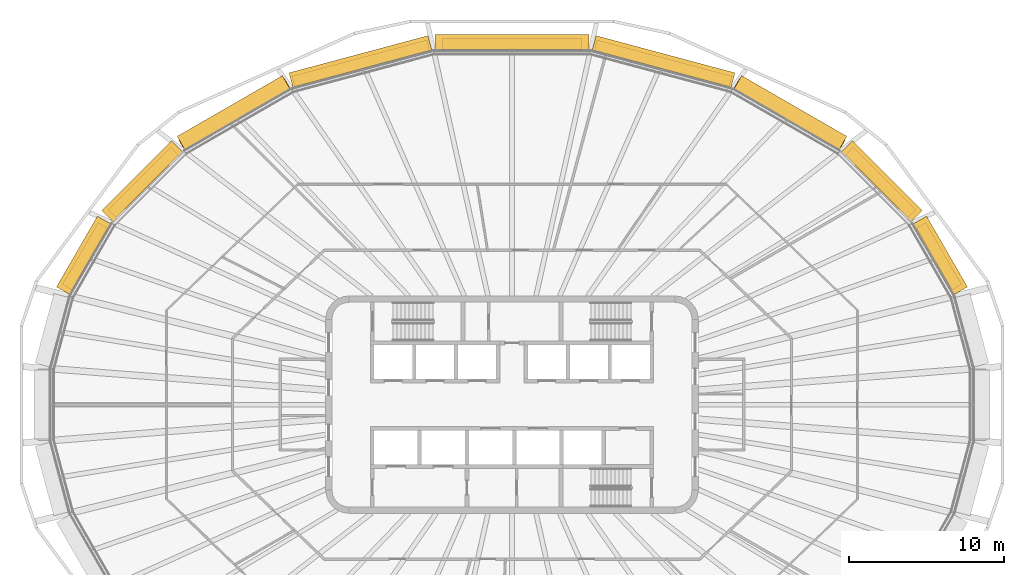
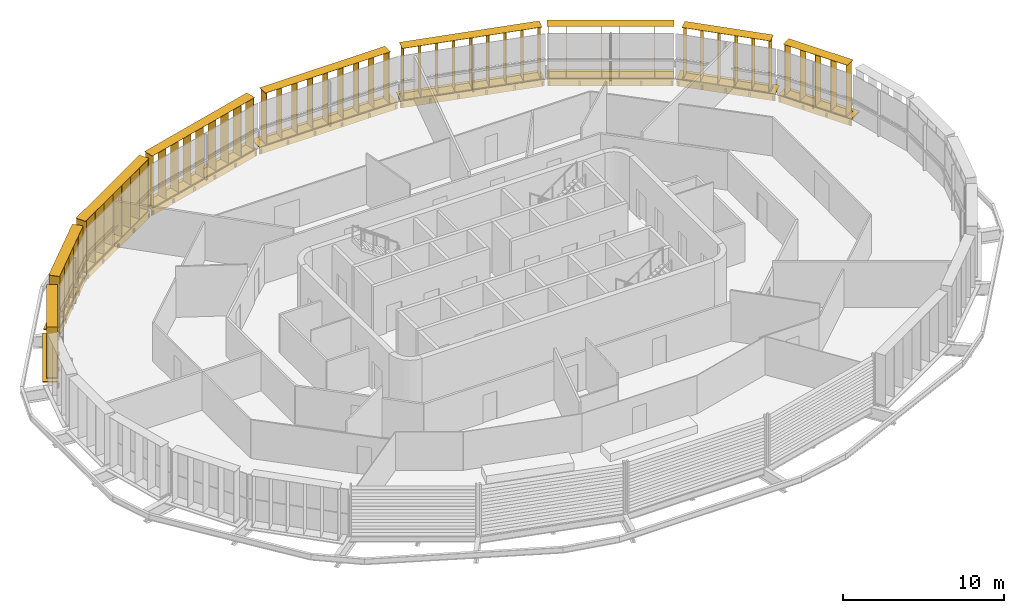
# One storey, part 20 of 20: 18 shading devices.
"""IFC4 building model written with IfcOpenShell, lengths in metres."""

from ifc_helpers import new_model, si_unit, direction, frame, origin, origin_2d, place, context, subcontext, project, spatial, rectangle, extrude, material, type_object, element, save


model = new_model("IFC4")

# Units and contexts
model_context = context("Model", 3, precision=1e-05, world=origin(), true_north=direction((0.0, 1.0)))
body_context = subcontext(model_context, "Body", "Model", "MODEL_VIEW")
ifc_project = project(units=[si_unit("LENGTHUNIT", "METRE"), si_unit("AREAUNIT", "SQUARE_METRE"), si_unit("VOLUMEUNIT", "CUBIC_METRE"), si_unit("PLANEANGLEUNIT", "RADIAN"), si_unit("MASSUNIT", "GRAM", prefix="KILO")], contexts=[model_context])

# Site, building, storey
site_placement = place(None, origin())
site = spatial("IfcSite", under=ifc_project, at=site_placement, CompositionType="ELEMENT")
building_placement = place(site_placement, origin())
building = spatial("IfcBuilding", under=site, at=building_placement, Name="Sahrelin Media Tower", CompositionType="ELEMENT")
storey_placement = place(building_placement, frame((0.0, 0.0, 271.0)))
storey = spatial("IfcBuildingStorey", under=building, at=storey_placement, Name="L59", CompositionType="ELEMENT", Elevation=271.0)

# Shading devices
ifc_material = material(Name="Champagne anodised aluminium 6063-T6", Category="aluminium")
shading_device_type_1 = type_object("IfcShadingDeviceType", Name="Fin cassette", PredefinedType="USERDEFINED", material=ifc_material)
placement_1 = place(storey_placement, frame((27.140869140625, 9.355224609375, 0.0), z_axis=(0.0, 0.0, 1.0), x_axis=(0.500011000363, -0.866019052629, 0.0)))
element("IfcShadingDevice", 1, at=placement_1, inside=storey, type_object=shading_device_type_1, Name="L59:FIN:L59-02", ObjectType="FIN", PredefinedType="USERDEFINED", context=body_context, shape_type="SweptSolid", body=[
    extrude(rectangle(XDim=4.60009765625, YDim=0.699951171875, at=origin_2d()), frame((0.0, 0.419921875, 0.0)), (0.0, 0.0, 1.0), 0.02001953125),
    extrude(rectangle(XDim=4.60009765625, YDim=0.699951171875, at=origin_2d()), frame((0.0, 0.419921875, 3.89990234375)), (0.0, 0.0, 1.0), 0.02001953125),
    extrude(rectangle(XDim=0.02001953125, YDim=0.699951171875, at=origin_2d()), frame((-2.199951171875, 0.419921875, 0.010009765625), z_axis=(0.0, 0.0, 1.0), x_axis=(1.0, 0.0, 0.0)), (0.0, 0.0, 1.0), 3.89990234375),
    extrude(rectangle(XDim=0.02001953125, YDim=0.699951171875, at=origin_2d()), frame((-1.10009765625, 0.419921875, 0.010009765625), z_axis=(0.0, 0.0, 1.0), x_axis=(1.0, 0.0, 0.0)), (0.0, 0.0, 1.0), 3.89990234375),
    extrude(rectangle(XDim=0.02001953125, YDim=0.699951171875, at=origin_2d()), frame((0.0, 0.419921875, 0.010009765625), z_axis=(0.0, 0.0, 1.0), x_axis=(1.0, 0.0, 0.0)), (0.0, 0.0, 1.0), 3.89990234375),
    extrude(rectangle(XDim=0.02001953125, YDim=0.699951171875, at=origin_2d()), frame((1.10009765625, 0.419921875, 0.010009765625), z_axis=(0.0, 0.0, 1.0), x_axis=(1.0, 0.0, 0.0)), (0.0, 0.0, 1.0), 3.89990234375),
    extrude(rectangle(XDim=0.02001953125, YDim=0.699951171875, at=origin_2d()), frame((2.199951171875, 0.419921875, 0.010009765625), z_axis=(0.0, 0.0, 1.0), x_axis=(1.0, 0.0, 0.0)), (0.0, 0.0, 1.0), 3.89990234375),
])
placement_2 = place(storey_placement, frame((23.461181640625, 14.0341796875, 0.0), z_axis=(0.0, 0.0, 1.0), x_axis=(0.707106781187, -0.707106781187, 0.0)))
element("IfcShadingDevice", 2, at=placement_2, inside=storey, type_object=shading_device_type_1, Name="L59:FIN:L59-03", ObjectType="FIN", PredefinedType="USERDEFINED", context=body_context, shape_type="SweptSolid", body=[
    extrude(rectangle(XDim=5.699951171875, YDim=0.699951171875, at=origin_2d()), frame((0.0, 0.419921875, 0.0)), (0.0, 0.0, 1.0), 0.02001953125),
    extrude(rectangle(XDim=5.699951171875, YDim=0.699951171875, at=origin_2d()), frame((0.0, 0.419921875, 3.89990234375)), (0.0, 0.0, 1.0), 0.02001953125),
    extrude(rectangle(XDim=0.02001953125, YDim=0.699951171875, at=origin_2d()), frame((-2.75, 0.419921875, 0.010009765625), z_axis=(0.0, 0.0, 1.0), x_axis=(1.0, 0.0, 0.0)), (0.0, 0.0, 1.0), 3.89990234375),
    extrude(rectangle(XDim=0.02001953125, YDim=0.699951171875, at=origin_2d()), frame((-1.64990234375, 0.419921875, 0.010009765625), z_axis=(0.0, 0.0, 1.0), x_axis=(1.0, 0.0, 0.0)), (0.0, 0.0, 1.0), 3.89990234375),
    extrude(rectangle(XDim=0.02001953125, YDim=0.699951171875, at=origin_2d()), frame((-0.550048828125, 0.419921875, 0.010009765625), z_axis=(0.0, 0.0, 1.0), x_axis=(1.0, 0.0, 0.0)), (0.0, 0.0, 1.0), 3.89990234375),
    extrude(rectangle(XDim=0.02001953125, YDim=0.699951171875, at=origin_2d()), frame((0.550048828125, 0.419921875, 0.010009765625), z_axis=(0.0, 0.0, 1.0), x_axis=(1.0, 0.0, 0.0)), (0.0, 0.0, 1.0), 3.89990234375),
    extrude(rectangle(XDim=0.02001953125, YDim=0.699951171875, at=origin_2d()), frame((1.64990234375, 0.419921875, 0.010009765625), z_axis=(0.0, 0.0, 1.0), x_axis=(1.0, 0.0, 0.0)), (0.0, 0.0, 1.0), 3.89990234375),
    extrude(rectangle(XDim=0.02001953125, YDim=0.699951171875, at=origin_2d()), frame((2.75, 0.419921875, 0.010009765625), z_axis=(0.0, 0.0, 1.0), x_axis=(1.0, 0.0, 0.0)), (0.0, 0.0, 1.0), 3.89990234375),
])
placement_3 = place(storey_placement, frame((17.672119140625, 18.35498046875, 0.0), z_axis=(0.0, 0.0, 1.0), x_axis=(0.866019052629, -0.500011000363, 0.0)))
element("IfcShadingDevice", 3, at=placement_3, inside=storey, type_object=shading_device_type_1, Name="L59:FIN:L59-04", ObjectType="FIN", PredefinedType="USERDEFINED", context=body_context, shape_type="SweptSolid", body=[
    extrude(rectangle(XDim=7.89990234375, YDim=0.699951171875, at=origin_2d()), frame((0.0, 0.419921875, 0.0)), (0.0, 0.0, 1.0), 0.02001953125),
    extrude(rectangle(XDim=7.89990234375, YDim=0.699951171875, at=origin_2d()), frame((0.0, 0.419921875, 3.89990234375)), (0.0, 0.0, 1.0), 0.02001953125),
    extrude(rectangle(XDim=0.02001953125, YDim=0.699951171875, at=origin_2d()), frame((-3.85009765625, 0.419921875, 0.010009765625), z_axis=(0.0, 0.0, 1.0), x_axis=(1.0, 0.0, 0.0)), (0.0, 0.0, 1.0), 3.89990234375),
    extrude(rectangle(XDim=0.02001953125, YDim=0.699951171875, at=origin_2d()), frame((-2.75, 0.419921875, 0.010009765625), z_axis=(0.0, 0.0, 1.0), x_axis=(1.0, 0.0, 0.0)), (0.0, 0.0, 1.0), 3.89990234375),
    extrude(rectangle(XDim=0.02001953125, YDim=0.699951171875, at=origin_2d()), frame((-1.64990234375, 0.419921875, 0.010009765625), z_axis=(0.0, 0.0, 1.0), x_axis=(1.0, 0.0, 0.0)), (0.0, 0.0, 1.0), 3.89990234375),
    extrude(rectangle(XDim=0.02001953125, YDim=0.699951171875, at=origin_2d()), frame((-0.550048828125, 0.419921875, 0.010009765625), z_axis=(0.0, 0.0, 1.0), x_axis=(1.0, 0.0, 0.0)), (0.0, 0.0, 1.0), 3.89990234375),
    extrude(rectangle(XDim=0.02001953125, YDim=0.699951171875, at=origin_2d()), frame((0.550048828125, 0.419921875, 0.010009765625), z_axis=(0.0, 0.0, 1.0), x_axis=(1.0, 0.0, 0.0)), (0.0, 0.0, 1.0), 3.89990234375),
    extrude(rectangle(XDim=0.02001953125, YDim=0.699951171875, at=origin_2d()), frame((1.64990234375, 0.419921875, 0.010009765625), z_axis=(0.0, 0.0, 1.0), x_axis=(1.0, 0.0, 0.0)), (0.0, 0.0, 1.0), 3.89990234375),
    extrude(rectangle(XDim=0.02001953125, YDim=0.699951171875, at=origin_2d()), frame((2.75, 0.419921875, 0.010009765625), z_axis=(0.0, 0.0, 1.0), x_axis=(1.0, 0.0, 0.0)), (0.0, 0.0, 1.0), 3.89990234375),
    extrude(rectangle(XDim=0.02001953125, YDim=0.699951171875, at=origin_2d()), frame((3.85009765625, 0.419921875, 0.010009765625), z_axis=(0.0, 0.0, 1.0), x_axis=(1.0, 0.0, 0.0)), (0.0, 0.0, 1.0), 3.89990234375),
])
placement_4 = place(storey_placement, frame((9.624267578125, 21.586181640625, 0.0), z_axis=(0.0, 0.0, 1.0), x_axis=(0.965928857556, -0.258807731996, 0.0)))
element("IfcShadingDevice", 4, at=placement_4, inside=storey, type_object=shading_device_type_1, Name="L59:FIN:L59-05", ObjectType="FIN", PredefinedType="USERDEFINED", context=body_context, shape_type="SweptSolid", body=[
    extrude(rectangle(XDim=9.0, YDim=0.699951171875, at=origin_2d()), frame((0.0, 0.419921875, 0.0)), (0.0, 0.0, 1.0), 0.02001953125),
    extrude(rectangle(XDim=9.0, YDim=0.699951171875, at=origin_2d()), frame((0.0, 0.419921875, 3.89990234375)), (0.0, 0.0, 1.0), 0.02001953125),
    extrude(rectangle(XDim=0.02001953125, YDim=0.699951171875, at=origin_2d()), frame((-4.39990234375, 0.419921875, 0.010009765625), z_axis=(0.0, 0.0, 1.0), x_axis=(1.0, 0.0, 0.0)), (0.0, 0.0, 1.0), 3.89990234375),
    extrude(rectangle(XDim=0.02001953125, YDim=0.699951171875, at=origin_2d()), frame((-3.300048828125, 0.419921875, 0.010009765625), z_axis=(0.0, 0.0, 1.0), x_axis=(1.0, 0.0, 0.0)), (0.0, 0.0, 1.0), 3.89990234375),
    extrude(rectangle(XDim=0.02001953125, YDim=0.699951171875, at=origin_2d()), frame((-2.199951171875, 0.419921875, 0.010009765625), z_axis=(0.0, 0.0, 1.0), x_axis=(1.0, 0.0, 0.0)), (0.0, 0.0, 1.0), 3.89990234375),
    extrude(rectangle(XDim=0.02001953125, YDim=0.699951171875, at=origin_2d()), frame((-1.10009765625, 0.419921875, 0.010009765625), z_axis=(0.0, 0.0, 1.0), x_axis=(1.0, 0.0, 0.0)), (0.0, 0.0, 1.0), 3.89990234375),
    extrude(rectangle(XDim=0.02001953125, YDim=0.699951171875, at=origin_2d()), frame((0.0, 0.419921875, 0.010009765625), z_axis=(0.0, 0.0, 1.0), x_axis=(1.0, 0.0, 0.0)), (0.0, 0.0, 1.0), 3.89990234375),
    extrude(rectangle(XDim=0.02001953125, YDim=0.699951171875, at=origin_2d()), frame((1.10009765625, 0.419921875, 0.010009765625), z_axis=(0.0, 0.0, 1.0), x_axis=(1.0, 0.0, 0.0)), (0.0, 0.0, 1.0), 3.89990234375),
    extrude(rectangle(XDim=0.02001953125, YDim=0.699951171875, at=origin_2d()), frame((2.199951171875, 0.419921875, 0.010009765625), z_axis=(0.0, 0.0, 1.0), x_axis=(1.0, 0.0, 0.0)), (0.0, 0.0, 1.0), 3.89990234375),
    extrude(rectangle(XDim=0.02001953125, YDim=0.699951171875, at=origin_2d()), frame((3.300048828125, 0.419921875, 0.010009765625), z_axis=(0.0, 0.0, 1.0), x_axis=(1.0, 0.0, 0.0)), (0.0, 0.0, 1.0), 3.89990234375),
    extrude(rectangle(XDim=0.02001953125, YDim=0.699951171875, at=origin_2d()), frame((4.39990234375, 0.419921875, 0.010009765625), z_axis=(0.0, 0.0, 1.0), x_axis=(1.0, 0.0, 0.0)), (0.0, 0.0, 1.0), 3.89990234375),
])
placement_5 = place(storey_placement, frame((0.0, 22.811767578125, 0.0), z_axis=(0.0, 0.0, 1.0), x_axis=(1.0, 0.0, 0.0)))
element("IfcShadingDevice", 5, at=placement_5, inside=storey, type_object=shading_device_type_1, Name="L59:FIN:L59-06", ObjectType="FIN", PredefinedType="USERDEFINED", context=body_context, shape_type="SweptSolid", body=[
    extrude(rectangle(XDim=9.0, YDim=0.699951171875, at=origin_2d()), frame((0.0, 0.419921875, 0.0)), (0.0, 0.0, 1.0), 0.02001953125),
    extrude(rectangle(XDim=9.0, YDim=0.699951171875, at=origin_2d()), frame((0.0, 0.419921875, 3.89990234375)), (0.0, 0.0, 1.0), 0.02001953125),
    extrude(rectangle(XDim=0.02001953125, YDim=0.699951171875, at=origin_2d()), frame((-4.39990234375, 0.419921875, 0.010009765625), z_axis=(0.0, 0.0, 1.0), x_axis=(1.0, 0.0, 0.0)), (0.0, 0.0, 1.0), 3.89990234375),
    extrude(rectangle(XDim=0.02001953125, YDim=0.699951171875, at=origin_2d()), frame((-3.300048828125, 0.419921875, 0.010009765625), z_axis=(0.0, 0.0, 1.0), x_axis=(1.0, 0.0, 0.0)), (0.0, 0.0, 1.0), 3.89990234375),
    extrude(rectangle(XDim=0.02001953125, YDim=0.699951171875, at=origin_2d()), frame((-2.199951171875, 0.419921875, 0.010009765625), z_axis=(0.0, 0.0, 1.0), x_axis=(1.0, 0.0, 0.0)), (0.0, 0.0, 1.0), 3.89990234375),
    extrude(rectangle(XDim=0.02001953125, YDim=0.699951171875, at=origin_2d()), frame((-1.10009765625, 0.419921875, 0.010009765625), z_axis=(0.0, 0.0, 1.0), x_axis=(1.0, 0.0, 0.0)), (0.0, 0.0, 1.0), 3.89990234375),
    extrude(rectangle(XDim=0.02001953125, YDim=0.699951171875, at=origin_2d()), frame((0.0, 0.419921875, 0.010009765625), z_axis=(0.0, 0.0, 1.0), x_axis=(1.0, 0.0, 0.0)), (0.0, 0.0, 1.0), 3.89990234375),
    extrude(rectangle(XDim=0.02001953125, YDim=0.699951171875, at=origin_2d()), frame((1.10009765625, 0.419921875, 0.010009765625), z_axis=(0.0, 0.0, 1.0), x_axis=(1.0, 0.0, 0.0)), (0.0, 0.0, 1.0), 3.89990234375),
    extrude(rectangle(XDim=0.02001953125, YDim=0.699951171875, at=origin_2d()), frame((2.199951171875, 0.419921875, 0.010009765625), z_axis=(0.0, 0.0, 1.0), x_axis=(1.0, 0.0, 0.0)), (0.0, 0.0, 1.0), 3.89990234375),
    extrude(rectangle(XDim=0.02001953125, YDim=0.699951171875, at=origin_2d()), frame((3.300048828125, 0.419921875, 0.010009765625), z_axis=(0.0, 0.0, 1.0), x_axis=(1.0, 0.0, 0.0)), (0.0, 0.0, 1.0), 3.89990234375),
    extrude(rectangle(XDim=0.02001953125, YDim=0.699951171875, at=origin_2d()), frame((4.39990234375, 0.419921875, 0.010009765625), z_axis=(0.0, 0.0, 1.0), x_axis=(1.0, 0.0, 0.0)), (0.0, 0.0, 1.0), 3.89990234375),
])
placement_6 = place(storey_placement, frame((-9.624267578125, 21.586181640625, 0.0), z_axis=(0.0, 0.0, 1.0), x_axis=(0.965928857556, 0.258807731996, 0.0)))
element("IfcShadingDevice", 6, at=placement_6, inside=storey, type_object=shading_device_type_1, Name="L59:FIN:L59-07", ObjectType="FIN", PredefinedType="USERDEFINED", context=body_context, shape_type="SweptSolid", body=[
    extrude(rectangle(XDim=9.0, YDim=0.699951171875, at=origin_2d()), frame((0.0, 0.419921875, 0.0)), (0.0, 0.0, 1.0), 0.02001953125),
    extrude(rectangle(XDim=9.0, YDim=0.699951171875, at=origin_2d()), frame((0.0, 0.419921875, 3.89990234375)), (0.0, 0.0, 1.0), 0.02001953125),
    extrude(rectangle(XDim=0.02001953125, YDim=0.699951171875, at=origin_2d()), frame((-4.39990234375, 0.419921875, 0.010009765625), z_axis=(0.0, 0.0, 1.0), x_axis=(1.0, 0.0, 0.0)), (0.0, 0.0, 1.0), 3.89990234375),
    extrude(rectangle(XDim=0.02001953125, YDim=0.699951171875, at=origin_2d()), frame((-3.300048828125, 0.419921875, 0.010009765625), z_axis=(0.0, 0.0, 1.0), x_axis=(1.0, 0.0, 0.0)), (0.0, 0.0, 1.0), 3.89990234375),
    extrude(rectangle(XDim=0.02001953125, YDim=0.699951171875, at=origin_2d()), frame((-2.199951171875, 0.419921875, 0.010009765625), z_axis=(0.0, 0.0, 1.0), x_axis=(1.0, 0.0, 0.0)), (0.0, 0.0, 1.0), 3.89990234375),
    extrude(rectangle(XDim=0.02001953125, YDim=0.699951171875, at=origin_2d()), frame((-1.10009765625, 0.419921875, 0.010009765625), z_axis=(0.0, 0.0, 1.0), x_axis=(1.0, 0.0, 0.0)), (0.0, 0.0, 1.0), 3.89990234375),
    extrude(rectangle(XDim=0.02001953125, YDim=0.699951171875, at=origin_2d()), frame((0.0, 0.419921875, 0.010009765625), z_axis=(0.0, 0.0, 1.0), x_axis=(1.0, 0.0, 0.0)), (0.0, 0.0, 1.0), 3.89990234375),
    extrude(rectangle(XDim=0.02001953125, YDim=0.699951171875, at=origin_2d()), frame((1.10009765625, 0.419921875, 0.010009765625), z_axis=(0.0, 0.0, 1.0), x_axis=(1.0, 0.0, 0.0)), (0.0, 0.0, 1.0), 3.89990234375),
    extrude(rectangle(XDim=0.02001953125, YDim=0.699951171875, at=origin_2d()), frame((2.199951171875, 0.419921875, 0.010009765625), z_axis=(0.0, 0.0, 1.0), x_axis=(1.0, 0.0, 0.0)), (0.0, 0.0, 1.0), 3.89990234375),
    extrude(rectangle(XDim=0.02001953125, YDim=0.699951171875, at=origin_2d()), frame((3.300048828125, 0.419921875, 0.010009765625), z_axis=(0.0, 0.0, 1.0), x_axis=(1.0, 0.0, 0.0)), (0.0, 0.0, 1.0), 3.89990234375),
    extrude(rectangle(XDim=0.02001953125, YDim=0.699951171875, at=origin_2d()), frame((4.39990234375, 0.419921875, 0.010009765625), z_axis=(0.0, 0.0, 1.0), x_axis=(1.0, 0.0, 0.0)), (0.0, 0.0, 1.0), 3.89990234375),
])
placement_7 = place(storey_placement, frame((-17.672119140625, 18.354736328125, 0.0), z_axis=(0.0, 0.0, 1.0), x_axis=(0.866019052629, 0.500011000363, 0.0)))
element("IfcShadingDevice", 7, at=placement_7, inside=storey, type_object=shading_device_type_1, Name="L59:FIN:L59-08", ObjectType="FIN", PredefinedType="USERDEFINED", context=body_context, shape_type="SweptSolid", body=[
    extrude(rectangle(XDim=7.89990234375, YDim=0.699951171875, at=origin_2d()), frame((0.0, 0.419921875, 0.0)), (0.0, 0.0, 1.0), 0.02001953125),
    extrude(rectangle(XDim=7.89990234375, YDim=0.699951171875, at=origin_2d()), frame((0.0, 0.419921875, 3.89990234375)), (0.0, 0.0, 1.0), 0.02001953125),
    extrude(rectangle(XDim=0.02001953125, YDim=0.699951171875, at=origin_2d()), frame((-3.85009765625, 0.419921875, 0.010009765625), z_axis=(0.0, 0.0, 1.0), x_axis=(1.0, 0.0, 0.0)), (0.0, 0.0, 1.0), 3.89990234375),
    extrude(rectangle(XDim=0.02001953125, YDim=0.699951171875, at=origin_2d()), frame((-2.75, 0.419921875, 0.010009765625), z_axis=(0.0, 0.0, 1.0), x_axis=(1.0, 0.0, 0.0)), (0.0, 0.0, 1.0), 3.89990234375),
    extrude(rectangle(XDim=0.02001953125, YDim=0.699951171875, at=origin_2d()), frame((-1.64990234375, 0.419921875, 0.010009765625), z_axis=(0.0, 0.0, 1.0), x_axis=(1.0, 0.0, 0.0)), (0.0, 0.0, 1.0), 3.89990234375),
    extrude(rectangle(XDim=0.02001953125, YDim=0.699951171875, at=origin_2d()), frame((-0.550048828125, 0.419921875, 0.010009765625), z_axis=(0.0, 0.0, 1.0), x_axis=(1.0, 0.0, 0.0)), (0.0, 0.0, 1.0), 3.89990234375),
    extrude(rectangle(XDim=0.02001953125, YDim=0.699951171875, at=origin_2d()), frame((0.550048828125, 0.419921875, 0.010009765625), z_axis=(0.0, 0.0, 1.0), x_axis=(1.0, 0.0, 0.0)), (0.0, 0.0, 1.0), 3.89990234375),
    extrude(rectangle(XDim=0.02001953125, YDim=0.699951171875, at=origin_2d()), frame((1.64990234375, 0.419921875, 0.010009765625), z_axis=(0.0, 0.0, 1.0), x_axis=(1.0, 0.0, 0.0)), (0.0, 0.0, 1.0), 3.89990234375),
    extrude(rectangle(XDim=0.02001953125, YDim=0.699951171875, at=origin_2d()), frame((2.75, 0.419921875, 0.010009765625), z_axis=(0.0, 0.0, 1.0), x_axis=(1.0, 0.0, 0.0)), (0.0, 0.0, 1.0), 3.89990234375),
    extrude(rectangle(XDim=0.02001953125, YDim=0.699951171875, at=origin_2d()), frame((3.85009765625, 0.419921875, 0.010009765625), z_axis=(0.0, 0.0, 1.0), x_axis=(1.0, 0.0, 0.0)), (0.0, 0.0, 1.0), 3.89990234375),
])
placement_8 = place(storey_placement, frame((-23.461181640625, 14.0341796875, 0.0), z_axis=(0.0, 0.0, 1.0), x_axis=(0.707106781187, 0.707106781187, 0.0)))
element("IfcShadingDevice", 8, at=placement_8, inside=storey, type_object=shading_device_type_1, Name="L59:FIN:L59-09", ObjectType="FIN", PredefinedType="USERDEFINED", context=body_context, shape_type="SweptSolid", body=[
    extrude(rectangle(XDim=5.699951171875, YDim=0.699951171875, at=origin_2d()), frame((0.0, 0.419921875, 0.0)), (0.0, 0.0, 1.0), 0.02001953125),
    extrude(rectangle(XDim=5.699951171875, YDim=0.699951171875, at=origin_2d()), frame((0.0, 0.419921875, 3.89990234375)), (0.0, 0.0, 1.0), 0.02001953125),
    extrude(rectangle(XDim=0.02001953125, YDim=0.699951171875, at=origin_2d()), frame((-2.75, 0.419921875, 0.010009765625), z_axis=(0.0, 0.0, 1.0), x_axis=(1.0, 0.0, 0.0)), (0.0, 0.0, 1.0), 3.89990234375),
    extrude(rectangle(XDim=0.02001953125, YDim=0.699951171875, at=origin_2d()), frame((-1.64990234375, 0.419921875, 0.010009765625), z_axis=(0.0, 0.0, 1.0), x_axis=(1.0, 0.0, 0.0)), (0.0, 0.0, 1.0), 3.89990234375),
    extrude(rectangle(XDim=0.02001953125, YDim=0.699951171875, at=origin_2d()), frame((-0.550048828125, 0.419921875, 0.010009765625), z_axis=(0.0, 0.0, 1.0), x_axis=(1.0, 0.0, 0.0)), (0.0, 0.0, 1.0), 3.89990234375),
    extrude(rectangle(XDim=0.02001953125, YDim=0.699951171875, at=origin_2d()), frame((0.550048828125, 0.419921875, 0.010009765625), z_axis=(0.0, 0.0, 1.0), x_axis=(1.0, 0.0, 0.0)), (0.0, 0.0, 1.0), 3.89990234375),
    extrude(rectangle(XDim=0.02001953125, YDim=0.699951171875, at=origin_2d()), frame((1.64990234375, 0.419921875, 0.010009765625), z_axis=(0.0, 0.0, 1.0), x_axis=(1.0, 0.0, 0.0)), (0.0, 0.0, 1.0), 3.89990234375),
    extrude(rectangle(XDim=0.02001953125, YDim=0.699951171875, at=origin_2d()), frame((2.75, 0.419921875, 0.010009765625), z_axis=(0.0, 0.0, 1.0), x_axis=(1.0, 0.0, 0.0)), (0.0, 0.0, 1.0), 3.89990234375),
])
placement_9 = place(storey_placement, frame((-27.14111328125, 9.355224609375, 0.0), z_axis=(0.0, 0.0, 1.0), x_axis=(0.500011000363, 0.866019052629, 0.0)))
element("IfcShadingDevice", 9, at=placement_9, inside=storey, type_object=shading_device_type_1, Name="L59:FIN:L59-10", ObjectType="FIN", PredefinedType="USERDEFINED", context=body_context, shape_type="SweptSolid", body=[
    extrude(rectangle(XDim=4.60009765625, YDim=0.699951171875, at=origin_2d()), frame((0.0, 0.419921875, 0.0)), (0.0, 0.0, 1.0), 0.02001953125),
    extrude(rectangle(XDim=4.60009765625, YDim=0.699951171875, at=origin_2d()), frame((0.0, 0.419921875, 3.89990234375)), (0.0, 0.0, 1.0), 0.02001953125),
    extrude(rectangle(XDim=0.02001953125, YDim=0.699951171875, at=origin_2d()), frame((-2.199951171875, 0.419921875, 0.010009765625), z_axis=(0.0, 0.0, 1.0), x_axis=(1.0, 0.0, 0.0)), (0.0, 0.0, 1.0), 3.89990234375),
    extrude(rectangle(XDim=0.02001953125, YDim=0.699951171875, at=origin_2d()), frame((-1.10009765625, 0.419921875, 0.010009765625), z_axis=(0.0, 0.0, 1.0), x_axis=(1.0, 0.0, 0.0)), (0.0, 0.0, 1.0), 3.89990234375),
    extrude(rectangle(XDim=0.02001953125, YDim=0.699951171875, at=origin_2d()), frame((0.0, 0.419921875, 0.010009765625), z_axis=(0.0, 0.0, 1.0), x_axis=(1.0, 0.0, 0.0)), (0.0, 0.0, 1.0), 3.89990234375),
    extrude(rectangle(XDim=0.02001953125, YDim=0.699951171875, at=origin_2d()), frame((1.10009765625, 0.419921875, 0.010009765625), z_axis=(0.0, 0.0, 1.0), x_axis=(1.0, 0.0, 0.0)), (0.0, 0.0, 1.0), 3.89990234375),
    extrude(rectangle(XDim=0.02001953125, YDim=0.699951171875, at=origin_2d()), frame((2.199951171875, 0.419921875, 0.010009765625), z_axis=(0.0, 0.0, 1.0), x_axis=(1.0, 0.0, 0.0)), (0.0, 0.0, 1.0), 3.89990234375),
])
shading_device_type_2 = type_object("IfcShadingDeviceType", Name="Sunshade band", PredefinedType="USERDEFINED", material=ifc_material)
element("IfcShadingDevice", 10, at=placement_1, inside=storey, type_object=shading_device_type_2, Name="L59:SUN:L59-02", ObjectType="SUNSHADE", PredefinedType="USERDEFINED", context=body_context, shape_type="SweptSolid", body=[
    extrude(rectangle(XDim=5.26025390625, YDim=0.050048828125, at=origin_2d()), frame((0.0, 0.044921875, -0.55126953125)), (0.0, 0.0, 1.0), 0.471435546875),
    extrude(rectangle(XDim=5.26025390625, YDim=1.0, at=origin_2d()), frame((0.0, 0.52001953125, -0.080078125)), (0.0, 0.0, 1.0), 0.080078125),
    extrude(rectangle(XDim=0.10009765625, YDim=0.074951171875, at=origin_2d()), frame((-2.5302734375, -0.017578125, -0.47021484375)), (0.0, 0.0, 1.0), 0.300048828125),
    extrude(rectangle(XDim=0.10009765625, YDim=0.074951171875, at=origin_2d()), frame((-0.843505859375, -0.017578125, -0.47021484375)), (0.0, 0.0, 1.0), 0.300048828125),
    extrude(rectangle(XDim=0.10009765625, YDim=0.074951171875, at=origin_2d()), frame((0.843505859375, -0.017578125, -0.47021484375)), (0.0, 0.0, 1.0), 0.300048828125),
    extrude(rectangle(XDim=0.10009765625, YDim=0.074951171875, at=origin_2d()), frame((2.5302734375, -0.017578125, -0.47021484375)), (0.0, 0.0, 1.0), 0.300048828125),
])
element("IfcShadingDevice", 11, at=placement_2, inside=storey, type_object=shading_device_type_2, Name="L59:SUN:L59-03", ObjectType="SUNSHADE", PredefinedType="USERDEFINED", context=body_context, shape_type="SweptSolid", body=[
    extrude(rectangle(XDim=6.346923828125, YDim=0.050048828125, at=origin_2d()), frame((0.0, 0.044921875, -0.55126953125)), (0.0, 0.0, 1.0), 0.471435546875),
    extrude(rectangle(XDim=6.346923828125, YDim=1.0, at=origin_2d()), frame((0.0, 0.52001953125, -0.080078125)), (0.0, 0.0, 1.0), 0.080078125),
    extrude(rectangle(XDim=0.10009765625, YDim=0.074951171875, at=origin_2d()), frame((-3.073486328125, -0.017578125, -0.47021484375)), (0.0, 0.0, 1.0), 0.300048828125),
    extrude(rectangle(XDim=0.10009765625, YDim=0.074951171875, at=origin_2d()), frame((-1.53662109375, -0.017578125, -0.47021484375)), (0.0, 0.0, 1.0), 0.300048828125),
    extrude(rectangle(XDim=0.10009765625, YDim=0.074951171875, at=origin_2d()), frame((0.0, -0.017578125, -0.47021484375)), (0.0, 0.0, 1.0), 0.300048828125),
    extrude(rectangle(XDim=0.10009765625, YDim=0.074951171875, at=origin_2d()), frame((1.53662109375, -0.017578125, -0.47021484375)), (0.0, 0.0, 1.0), 0.300048828125),
    extrude(rectangle(XDim=0.10009765625, YDim=0.074951171875, at=origin_2d()), frame((3.073486328125, -0.017578125, -0.47021484375)), (0.0, 0.0, 1.0), 0.300048828125),
])
element("IfcShadingDevice", 12, at=placement_3, inside=storey, type_object=shading_device_type_2, Name="L59:SUN:L59-04", ObjectType="SUNSHADE", PredefinedType="USERDEFINED", context=body_context, shape_type="SweptSolid", body=[
    extrude(rectangle(XDim=7.823974609375, YDim=0.050048828125, at=origin_2d()), frame((0.0, 0.044921875, -0.55126953125)), (0.0, 0.0, 1.0), 0.471435546875),
    extrude(rectangle(XDim=7.823974609375, YDim=1.0, at=origin_2d()), frame((0.0, 0.52001953125, -0.080078125)), (0.0, 0.0, 1.0), 0.080078125),
    extrude(rectangle(XDim=0.10009765625, YDim=0.074951171875, at=origin_2d()), frame((-3.81201171875, -0.017578125, -0.47021484375)), (0.0, 0.0, 1.0), 0.300048828125),
    extrude(rectangle(XDim=0.10009765625, YDim=0.074951171875, at=origin_2d()), frame((-1.906005859375, -0.017578125, -0.47021484375)), (0.0, 0.0, 1.0), 0.300048828125),
    extrude(rectangle(XDim=0.10009765625, YDim=0.074951171875, at=origin_2d()), frame((0.0, -0.017578125, -0.47021484375)), (0.0, 0.0, 1.0), 0.300048828125),
    extrude(rectangle(XDim=0.10009765625, YDim=0.074951171875, at=origin_2d()), frame((1.906005859375, -0.017578125, -0.47021484375)), (0.0, 0.0, 1.0), 0.300048828125),
    extrude(rectangle(XDim=0.10009765625, YDim=0.074951171875, at=origin_2d()), frame((3.81201171875, -0.017578125, -0.47021484375)), (0.0, 0.0, 1.0), 0.300048828125),
])
element("IfcShadingDevice", 13, at=placement_4, inside=storey, type_object=shading_device_type_2, Name="L59:SUN:L59-05", ObjectType="SUNSHADE", PredefinedType="USERDEFINED", context=body_context, shape_type="SweptSolid", body=[
    extrude(rectangle(XDim=9.269287109375, YDim=0.050048828125, at=origin_2d()), frame((0.0, 0.044921875, -0.55126953125)), (0.0, 0.0, 1.0), 0.471435546875),
    extrude(rectangle(XDim=9.269287109375, YDim=1.0, at=origin_2d()), frame((0.0, 0.52001953125, -0.080078125)), (0.0, 0.0, 1.0), 0.080078125),
    extrude(rectangle(XDim=0.10009765625, YDim=0.074951171875, at=origin_2d()), frame((-4.53466796875, -0.017578125, -0.47021484375)), (0.0, 0.0, 1.0), 0.300048828125),
    extrude(rectangle(XDim=0.10009765625, YDim=0.074951171875, at=origin_2d()), frame((-2.720703125, -0.017578125, -0.47021484375)), (0.0, 0.0, 1.0), 0.300048828125),
    extrude(rectangle(XDim=0.10009765625, YDim=0.074951171875, at=origin_2d()), frame((-0.906982421875, -0.017578125, -0.47021484375)), (0.0, 0.0, 1.0), 0.300048828125),
    extrude(rectangle(XDim=0.10009765625, YDim=0.074951171875, at=origin_2d()), frame((0.906982421875, -0.017578125, -0.47021484375)), (0.0, 0.0, 1.0), 0.300048828125),
    extrude(rectangle(XDim=0.10009765625, YDim=0.074951171875, at=origin_2d()), frame((2.720703125, -0.017578125, -0.47021484375)), (0.0, 0.0, 1.0), 0.300048828125),
    extrude(rectangle(XDim=0.10009765625, YDim=0.074951171875, at=origin_2d()), frame((4.53466796875, -0.017578125, -0.47021484375)), (0.0, 0.0, 1.0), 0.300048828125),
])
element("IfcShadingDevice", 14, at=placement_5, inside=storey, type_object=shading_device_type_2, Name="L59:SUN:L59-06", ObjectType="SUNSHADE", PredefinedType="USERDEFINED", context=body_context, shape_type="SweptSolid", body=[
    extrude(rectangle(XDim=9.902099609375, YDim=0.050048828125, at=origin_2d()), frame((0.0, 0.044921875, -0.55126953125)), (0.0, 0.0, 1.0), 0.471435546875),
    extrude(rectangle(XDim=9.902099609375, YDim=1.0, at=origin_2d()), frame((0.0, 0.52001953125, -0.080078125)), (0.0, 0.0, 1.0), 0.080078125),
    extrude(rectangle(XDim=0.10009765625, YDim=0.074951171875, at=origin_2d()), frame((-4.85107421875, -0.017578125, -0.47021484375)), (0.0, 0.0, 1.0), 0.300048828125),
    extrude(rectangle(XDim=0.10009765625, YDim=0.074951171875, at=origin_2d()), frame((-2.91064453125, -0.017578125, -0.47021484375)), (0.0, 0.0, 1.0), 0.300048828125),
    extrude(rectangle(XDim=0.10009765625, YDim=0.074951171875, at=origin_2d()), frame((-0.97021484375, -0.017578125, -0.47021484375)), (0.0, 0.0, 1.0), 0.300048828125),
    extrude(rectangle(XDim=0.10009765625, YDim=0.074951171875, at=origin_2d()), frame((0.97021484375, -0.017578125, -0.47021484375)), (0.0, 0.0, 1.0), 0.300048828125),
    extrude(rectangle(XDim=0.10009765625, YDim=0.074951171875, at=origin_2d()), frame((2.91064453125, -0.017578125, -0.47021484375)), (0.0, 0.0, 1.0), 0.300048828125),
    extrude(rectangle(XDim=0.10009765625, YDim=0.074951171875, at=origin_2d()), frame((4.85107421875, -0.017578125, -0.47021484375)), (0.0, 0.0, 1.0), 0.300048828125),
])
element("IfcShadingDevice", 15, at=placement_6, inside=storey, type_object=shading_device_type_2, Name="L59:SUN:L59-07", ObjectType="SUNSHADE", PredefinedType="USERDEFINED", context=body_context, shape_type="SweptSolid", body=[
    extrude(rectangle(XDim=9.269287109375, YDim=0.050048828125, at=origin_2d()), frame((0.0, 0.044921875, -0.55126953125)), (0.0, 0.0, 1.0), 0.471435546875),
    extrude(rectangle(XDim=9.269287109375, YDim=1.0, at=origin_2d()), frame((0.0, 0.52001953125, -0.080078125)), (0.0, 0.0, 1.0), 0.080078125),
    extrude(rectangle(XDim=0.10009765625, YDim=0.074951171875, at=origin_2d()), frame((-4.53466796875, -0.017578125, -0.47021484375)), (0.0, 0.0, 1.0), 0.300048828125),
    extrude(rectangle(XDim=0.10009765625, YDim=0.074951171875, at=origin_2d()), frame((-2.720703125, -0.017578125, -0.47021484375)), (0.0, 0.0, 1.0), 0.300048828125),
    extrude(rectangle(XDim=0.10009765625, YDim=0.074951171875, at=origin_2d()), frame((-0.906982421875, -0.017578125, -0.47021484375)), (0.0, 0.0, 1.0), 0.300048828125),
    extrude(rectangle(XDim=0.10009765625, YDim=0.074951171875, at=origin_2d()), frame((0.906982421875, -0.017578125, -0.47021484375)), (0.0, 0.0, 1.0), 0.300048828125),
    extrude(rectangle(XDim=0.10009765625, YDim=0.074951171875, at=origin_2d()), frame((2.720703125, -0.017578125, -0.47021484375)), (0.0, 0.0, 1.0), 0.300048828125),
    extrude(rectangle(XDim=0.10009765625, YDim=0.074951171875, at=origin_2d()), frame((4.53466796875, -0.017578125, -0.47021484375)), (0.0, 0.0, 1.0), 0.300048828125),
])
element("IfcShadingDevice", 16, at=placement_7, inside=storey, type_object=shading_device_type_2, Name="L59:SUN:L59-08", ObjectType="SUNSHADE", PredefinedType="USERDEFINED", context=body_context, shape_type="SweptSolid", body=[
    extrude(rectangle(XDim=7.823974609375, YDim=0.050048828125, at=origin_2d()), frame((0.0, 0.044921875, -0.55126953125)), (0.0, 0.0, 1.0), 0.471435546875),
    extrude(rectangle(XDim=7.823974609375, YDim=1.0, at=origin_2d()), frame((0.0, 0.52001953125, -0.080078125)), (0.0, 0.0, 1.0), 0.080078125),
    extrude(rectangle(XDim=0.10009765625, YDim=0.074951171875, at=origin_2d()), frame((-3.81201171875, -0.017578125, -0.47021484375)), (0.0, 0.0, 1.0), 0.300048828125),
    extrude(rectangle(XDim=0.10009765625, YDim=0.074951171875, at=origin_2d()), frame((-1.906005859375, -0.017578125, -0.47021484375)), (0.0, 0.0, 1.0), 0.300048828125),
    extrude(rectangle(XDim=0.10009765625, YDim=0.074951171875, at=origin_2d()), frame((0.0, -0.017578125, -0.47021484375)), (0.0, 0.0, 1.0), 0.300048828125),
    extrude(rectangle(XDim=0.10009765625, YDim=0.074951171875, at=origin_2d()), frame((1.906005859375, -0.017578125, -0.47021484375)), (0.0, 0.0, 1.0), 0.300048828125),
    extrude(rectangle(XDim=0.10009765625, YDim=0.074951171875, at=origin_2d()), frame((3.81201171875, -0.017578125, -0.47021484375)), (0.0, 0.0, 1.0), 0.300048828125),
])
element("IfcShadingDevice", 17, at=placement_8, inside=storey, type_object=shading_device_type_2, Name="L59:SUN:L59-09", ObjectType="SUNSHADE", PredefinedType="USERDEFINED", context=body_context, shape_type="SweptSolid", body=[
    extrude(rectangle(XDim=6.346923828125, YDim=0.050048828125, at=origin_2d()), frame((0.0, 0.044921875, -0.55126953125)), (0.0, 0.0, 1.0), 0.471435546875),
    extrude(rectangle(XDim=6.346923828125, YDim=1.0, at=origin_2d()), frame((0.0, 0.52001953125, -0.080078125)), (0.0, 0.0, 1.0), 0.080078125),
    extrude(rectangle(XDim=0.10009765625, YDim=0.074951171875, at=origin_2d()), frame((-3.073486328125, -0.017578125, -0.47021484375)), (0.0, 0.0, 1.0), 0.300048828125),
    extrude(rectangle(XDim=0.10009765625, YDim=0.074951171875, at=origin_2d()), frame((-1.53662109375, -0.017578125, -0.47021484375)), (0.0, 0.0, 1.0), 0.300048828125),
    extrude(rectangle(XDim=0.10009765625, YDim=0.074951171875, at=origin_2d()), frame((0.0, -0.017578125, -0.47021484375)), (0.0, 0.0, 1.0), 0.300048828125),
    extrude(rectangle(XDim=0.10009765625, YDim=0.074951171875, at=origin_2d()), frame((1.53662109375, -0.017578125, -0.47021484375)), (0.0, 0.0, 1.0), 0.300048828125),
    extrude(rectangle(XDim=0.10009765625, YDim=0.074951171875, at=origin_2d()), frame((3.073486328125, -0.017578125, -0.47021484375)), (0.0, 0.0, 1.0), 0.300048828125),
])
element("IfcShadingDevice", 18, at=placement_9, inside=storey, type_object=shading_device_type_2, Name="L59:SUN:L59-10", ObjectType="SUNSHADE", PredefinedType="USERDEFINED", context=body_context, shape_type="SweptSolid", body=[
    extrude(rectangle(XDim=5.26025390625, YDim=0.050048828125, at=origin_2d()), frame((0.0, 0.044921875, -0.55126953125)), (0.0, 0.0, 1.0), 0.471435546875),
    extrude(rectangle(XDim=5.26025390625, YDim=1.0, at=origin_2d()), frame((0.0, 0.52001953125, -0.080078125)), (0.0, 0.0, 1.0), 0.080078125),
    extrude(rectangle(XDim=0.10009765625, YDim=0.074951171875, at=origin_2d()), frame((-2.5302734375, -0.017578125, -0.47021484375)), (0.0, 0.0, 1.0), 0.300048828125),
    extrude(rectangle(XDim=0.10009765625, YDim=0.074951171875, at=origin_2d()), frame((-0.843505859375, -0.017578125, -0.47021484375)), (0.0, 0.0, 1.0), 0.300048828125),
    extrude(rectangle(XDim=0.10009765625, YDim=0.074951171875, at=origin_2d()), frame((0.843505859375, -0.017578125, -0.47021484375)), (0.0, 0.0, 1.0), 0.300048828125),
    extrude(rectangle(XDim=0.10009765625, YDim=0.074951171875, at=origin_2d()), frame((2.5302734375, -0.017578125, -0.47021484375)), (0.0, 0.0, 1.0), 0.300048828125),
])

save(model, "model.ifc")
